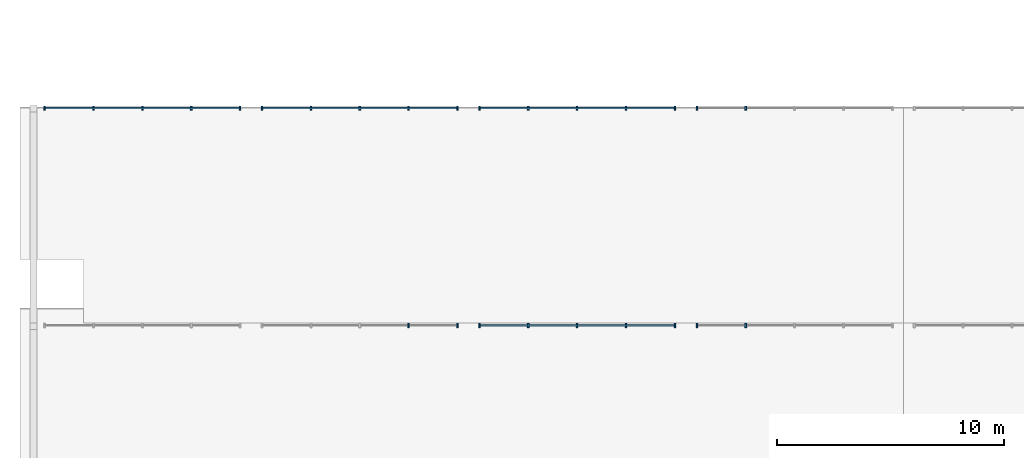
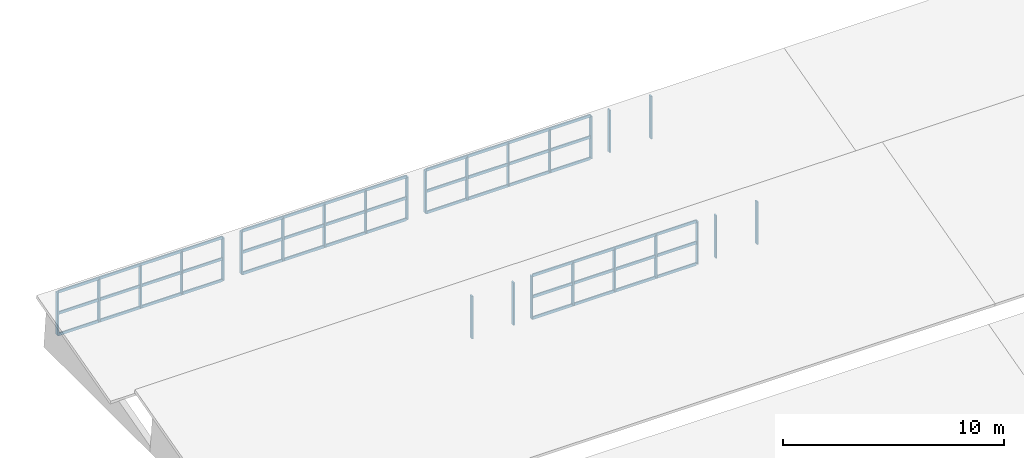
# One storey, part 5 of 18: 38 members, 7 elements without a shape of their own.
"""IFC4 building model written with IfcOpenShell, lengths in metres."""

from ifc_helpers import new_model, si_unit, direction, frame, origin, origin_2d, place, context, subcontext, project, spatial, rectangle, extrude, material, layer, layer_set, material_profile, profile_set, type_object, element, aggregate, save


model = new_model("IFC4")

# Units and contexts
model_context = context("Model", 3, precision=1e-05, world=origin(), true_north=direction((0.0, 1.0)))
body_context = subcontext(model_context, "Body", "Model", "MODEL_VIEW")
ifc_project = project(units=[si_unit("LENGTHUNIT", "METRE"), si_unit("AREAUNIT", "SQUARE_METRE"), si_unit("VOLUMEUNIT", "CUBIC_METRE"), si_unit("PLANEANGLEUNIT", "RADIAN"), si_unit("MASSUNIT", "GRAM", prefix="KILO")], contexts=[model_context])

# Site, building, storey
site_placement = place(None, origin())
site = spatial("IfcSite", under=ifc_project, at=site_placement, CompositionType="ELEMENT")
building_placement = place(site_placement, origin())
building = spatial("IfcBuilding", under=site, at=building_placement, Name="Bempovik Park Faculty of Sciences", CompositionType="ELEMENT")
storey_placement = place(building_placement, frame((0.0, 0.0, 50.10009765625)))
storey = spatial("IfcBuildingStorey", under=building, at=storey_placement, Name="Roof", CompositionType="ELEMENT", Elevation=50.10009765625)

# Curtain wall, members
ifc_material_1 = material(Name="Tempered laminated low-E glass", Category="glass")
ifc_layer_1 = layer(ifc_material_1, 0.159912109375)
ifc_layer_set_1 = layer_set([ifc_layer_1], Name="Tempered laminated low-E glass")
curtain_wall_type_1 = type_object("IfcCurtainWallType", Name="CW-15 Curtain 8000x2550", PredefinedType="USERDEFINED", material=ifc_layer_set_1)
curtain_wall_1_placement = place(storey_placement, origin())
curtain_wall_1 = element("IfcCurtainWall", 1, at=curtain_wall_1_placement, inside=storey, type_object=curtain_wall_type_1, Name="V2 Atrium Sawtooth North-Light Clerestory Bay 1 (60.0-69.6)", ObjectType="NORTH LIGHT CLERESTORY", PredefinedType="USERDEFINED")
ifc_material_2 = material(Name="Anodised aluminium", Category="aluminium")
ifc_material_profile_1 = material_profile(ifc_material_2, rectangle(XDim=0.070068359375, YDim=0.179931640625, at=origin_2d()), Name="ALU-M 70x180")
ifc_profile_set_1 = profile_set([ifc_material_profile_1], Name="Anodised aluminium")
member_type_1 = type_object("IfcMemberType", Name="ML-26 ALU-M 70x180", PredefinedType="MULLION", material=ifc_profile_set_1)
member_1_placement = place(storey_placement, frame((66.9599609375, 77.280029296875, -25.97021484375), z_axis=(0.0, 0.0, 1.0), x_axis=(1.0, 0.0, 0.0)))
member_1 = element("IfcMember", 2, at=member_1_placement, type_object=member_type_1, Name="CW-NL-V2-B1-600 Mullion 3", PredefinedType="MULLION", context=body_context, shape_type="SweptSolid", body=[
    extrude(rectangle(XDim=0.070068359375, YDim=0.179931640625, at=origin_2d()), origin(), (0.0, 0.0, 1.0), 2.3525390625),
])
member_2_placement = place(storey_placement, frame((69.1201171875, 77.280029296875, -25.97021484375), z_axis=(0.0, 0.0, 1.0), x_axis=(1.0, 0.0, 0.0)))
member_2 = element("IfcMember", 3, at=member_2_placement, type_object=member_type_1, Name="CW-NL-V2-B1-600 Mullion 4", PredefinedType="MULLION", context=body_context, shape_type="SweptSolid", body=[
    extrude(rectangle(XDim=0.070068359375, YDim=0.179931640625, at=origin_2d()), origin(), (0.0, 0.0, 1.0), 2.3525390625),
])
aggregate(curtain_wall_1, [member_1, member_2])

curtain_wall_2_placement = place(storey_placement, origin())
curtain_wall_2 = element("IfcCurtainWall", 4, at=curtain_wall_2_placement, inside=storey, type_object=curtain_wall_type_1, Name="V2 Atrium Sawtooth North-Light Clerestory Bay 1 (69.6-79.2)", ObjectType="NORTH LIGHT CLERESTORY", PredefinedType="USERDEFINED")
member_3_placement = place(storey_placement, frame((70.080078125, 77.280029296875, -25.97021484375), z_axis=(0.0, 0.0, 1.0), x_axis=(1.0, 0.0, 0.0)))
member_3 = element("IfcMember", 5, at=member_3_placement, type_object=member_type_1, Name="CW-NL-V2-B1-696 Mullion 0", PredefinedType="MULLION", context=body_context, shape_type="SweptSolid", body=[
    extrude(rectangle(XDim=0.070068359375, YDim=0.179931640625, at=origin_2d()), origin(), (0.0, 0.0, 1.0), 2.3525390625),
])
member_4_placement = place(storey_placement, frame((72.239990234375, 77.280029296875, -25.97021484375), z_axis=(0.0, 0.0, 1.0), x_axis=(1.0, 0.0, 0.0)))
member_4 = element("IfcMember", 6, at=member_4_placement, type_object=member_type_1, Name="CW-NL-V2-B1-696 Mullion 1", PredefinedType="MULLION", context=body_context, shape_type="SweptSolid", body=[
    extrude(rectangle(XDim=0.070068359375, YDim=0.179931640625, at=origin_2d()), origin(), (0.0, 0.0, 1.0), 2.3525390625),
])
member_5_placement = place(storey_placement, frame((74.39990234375, 77.280029296875, -25.97021484375), z_axis=(0.0, 0.0, 1.0), x_axis=(1.0, 0.0, 0.0)))
member_5 = element("IfcMember", 7, at=member_5_placement, type_object=member_type_1, Name="CW-NL-V2-B1-696 Mullion 2", PredefinedType="MULLION", context=body_context, shape_type="SweptSolid", body=[
    extrude(rectangle(XDim=0.070068359375, YDim=0.179931640625, at=origin_2d()), origin(), (0.0, 0.0, 1.0), 2.3525390625),
])
member_6_placement = place(storey_placement, frame((76.56005859375, 77.280029296875, -25.97021484375), z_axis=(0.0, 0.0, 1.0), x_axis=(1.0, 0.0, 0.0)))
member_6 = element("IfcMember", 8, at=member_6_placement, type_object=member_type_1, Name="CW-NL-V2-B1-696 Mullion 3", PredefinedType="MULLION", context=body_context, shape_type="SweptSolid", body=[
    extrude(rectangle(XDim=0.070068359375, YDim=0.179931640625, at=origin_2d()), origin(), (0.0, 0.0, 1.0), 2.3525390625),
])
member_7_placement = place(storey_placement, frame((78.719970703125, 77.280029296875, -25.97021484375), z_axis=(0.0, 0.0, 1.0), x_axis=(1.0, 0.0, 0.0)))
member_7 = element("IfcMember", 9, at=member_7_placement, type_object=member_type_1, Name="CW-NL-V2-B1-696 Mullion 4", PredefinedType="MULLION", context=body_context, shape_type="SweptSolid", body=[
    extrude(rectangle(XDim=0.070068359375, YDim=0.179931640625, at=origin_2d()), origin(), (0.0, 0.0, 1.0), 2.3525390625),
])

curtain_wall_3_placement = place(storey_placement, origin())
curtain_wall_3 = element("IfcCurtainWall", 10, at=curtain_wall_3_placement, inside=storey, type_object=curtain_wall_type_1, Name="V2 Atrium Sawtooth North-Light Clerestory Bay 1 (79.2-88.8)", ObjectType="NORTH LIGHT CLERESTORY", PredefinedType="USERDEFINED")
member_8_placement = place(storey_placement, frame((79.679931640625, 77.280029296875, -25.97021484375), z_axis=(0.0, 0.0, 1.0), x_axis=(1.0, 0.0, 0.0)))
member_8 = element("IfcMember", 11, at=member_8_placement, type_object=member_type_1, Name="CW-NL-V2-B1-792 Mullion 0", PredefinedType="MULLION", context=body_context, shape_type="SweptSolid", body=[
    extrude(rectangle(XDim=0.070068359375, YDim=0.179931640625, at=origin_2d()), origin(), (0.0, 0.0, 1.0), 2.3525390625),
])
member_9_placement = place(storey_placement, frame((81.840087890625, 77.280029296875, -25.97021484375), z_axis=(0.0, 0.0, 1.0), x_axis=(1.0, 0.0, 0.0)))
member_9 = element("IfcMember", 12, at=member_9_placement, type_object=member_type_1, Name="CW-NL-V2-B1-792 Mullion 1", PredefinedType="MULLION", context=body_context, shape_type="SweptSolid", body=[
    extrude(rectangle(XDim=0.070068359375, YDim=0.179931640625, at=origin_2d()), origin(), (0.0, 0.0, 1.0), 2.3525390625),
])
aggregate(curtain_wall_3, [member_8, member_9])

ifc_layer_2 = layer(ifc_material_1, 0.159912109375)
ifc_layer_set_2 = layer_set([ifc_layer_2], Name="Tempered laminated low-E glass")
curtain_wall_type_2 = type_object("IfcCurtainWallType", Name="CW-29 Curtain 6400x2550", PredefinedType="USERDEFINED", material=ifc_layer_set_2)
curtain_wall_4_placement = place(storey_placement, origin())
curtain_wall_4 = element("IfcCurtainWall", 13, at=curtain_wall_4_placement, inside=storey, type_object=curtain_wall_type_2, Name="V2 Atrium Sawtooth North-Light Clerestory Bay 2 (50.4-60.0)", ObjectType="NORTH LIGHT CLERESTORY", PredefinedType="USERDEFINED")
member_10_placement = place(storey_placement, frame((50.8798828125, 86.8798828125, -25.97021484375), z_axis=(0.0, 0.0, 1.0), x_axis=(1.0, 0.0, 0.0)))
member_10 = element("IfcMember", 14, at=member_10_placement, type_object=member_type_1, Name="CW-NL-V2-B2-504 Mullion 0", PredefinedType="MULLION", context=body_context, shape_type="SweptSolid", body=[
    extrude(rectangle(XDim=0.070068359375, YDim=0.179931640625, at=origin_2d()), origin(), (0.0, 0.0, 1.0), 2.3525390625),
])
member_11_placement = place(storey_placement, frame((53.0400390625, 86.8798828125, -25.97021484375), z_axis=(0.0, 0.0, 1.0), x_axis=(1.0, 0.0, 0.0)))
member_11 = element("IfcMember", 15, at=member_11_placement, type_object=member_type_1, Name="CW-NL-V2-B2-504 Mullion 1", PredefinedType="MULLION", context=body_context, shape_type="SweptSolid", body=[
    extrude(rectangle(XDim=0.070068359375, YDim=0.179931640625, at=origin_2d()), origin(), (0.0, 0.0, 1.0), 2.3525390625),
])
member_12_placement = place(storey_placement, frame((55.199951171875, 86.8798828125, -25.97021484375), z_axis=(0.0, 0.0, 1.0), x_axis=(1.0, 0.0, 0.0)))
member_12 = element("IfcMember", 16, at=member_12_placement, type_object=member_type_1, Name="CW-NL-V2-B2-504 Mullion 2", PredefinedType="MULLION", context=body_context, shape_type="SweptSolid", body=[
    extrude(rectangle(XDim=0.070068359375, YDim=0.179931640625, at=origin_2d()), origin(), (0.0, 0.0, 1.0), 2.3525390625),
])
member_13_placement = place(storey_placement, frame((57.360107421875, 86.8798828125, -25.97021484375), z_axis=(0.0, 0.0, 1.0), x_axis=(1.0, 0.0, 0.0)))
member_13 = element("IfcMember", 17, at=member_13_placement, type_object=member_type_1, Name="CW-NL-V2-B2-504 Mullion 3", PredefinedType="MULLION", context=body_context, shape_type="SweptSolid", body=[
    extrude(rectangle(XDim=0.070068359375, YDim=0.179931640625, at=origin_2d()), origin(), (0.0, 0.0, 1.0), 2.3525390625),
])
member_14_placement = place(storey_placement, frame((59.52001953125, 86.8798828125, -25.97021484375), z_axis=(0.0, 0.0, 1.0), x_axis=(1.0, 0.0, 0.0)))
member_14 = element("IfcMember", 18, at=member_14_placement, type_object=member_type_1, Name="CW-NL-V2-B2-504 Mullion 4", PredefinedType="MULLION", context=body_context, shape_type="SweptSolid", body=[
    extrude(rectangle(XDim=0.070068359375, YDim=0.179931640625, at=origin_2d()), origin(), (0.0, 0.0, 1.0), 2.3525390625),
])

curtain_wall_5_placement = place(storey_placement, origin())
curtain_wall_5 = element("IfcCurtainWall", 19, at=curtain_wall_5_placement, inside=storey, type_object=curtain_wall_type_1, Name="V2 Atrium Sawtooth North-Light Clerestory Bay 2 (60.0-69.6)", ObjectType="NORTH LIGHT CLERESTORY", PredefinedType="USERDEFINED")
member_15_placement = place(storey_placement, frame((60.47998046875, 86.8798828125, -25.97021484375), z_axis=(0.0, 0.0, 1.0), x_axis=(1.0, 0.0, 0.0)))
member_15 = element("IfcMember", 20, at=member_15_placement, type_object=member_type_1, Name="CW-NL-V2-B2-600 Mullion 0", PredefinedType="MULLION", context=body_context, shape_type="SweptSolid", body=[
    extrude(rectangle(XDim=0.070068359375, YDim=0.179931640625, at=origin_2d()), origin(), (0.0, 0.0, 1.0), 2.3525390625),
])
member_16_placement = place(storey_placement, frame((62.639892578125, 86.8798828125, -25.97021484375), z_axis=(0.0, 0.0, 1.0), x_axis=(1.0, 0.0, 0.0)))
member_16 = element("IfcMember", 21, at=member_16_placement, type_object=member_type_1, Name="CW-NL-V2-B2-600 Mullion 1", PredefinedType="MULLION", context=body_context, shape_type="SweptSolid", body=[
    extrude(rectangle(XDim=0.070068359375, YDim=0.179931640625, at=origin_2d()), origin(), (0.0, 0.0, 1.0), 2.3525390625),
])
member_17_placement = place(storey_placement, frame((64.800048828125, 86.8798828125, -25.97021484375), z_axis=(0.0, 0.0, 1.0), x_axis=(1.0, 0.0, 0.0)))
member_17 = element("IfcMember", 22, at=member_17_placement, type_object=member_type_1, Name="CW-NL-V2-B2-600 Mullion 2", PredefinedType="MULLION", context=body_context, shape_type="SweptSolid", body=[
    extrude(rectangle(XDim=0.070068359375, YDim=0.179931640625, at=origin_2d()), origin(), (0.0, 0.0, 1.0), 2.3525390625),
])
member_18_placement = place(storey_placement, frame((66.9599609375, 86.8798828125, -25.97021484375), z_axis=(0.0, 0.0, 1.0), x_axis=(1.0, 0.0, 0.0)))
member_18 = element("IfcMember", 23, at=member_18_placement, type_object=member_type_1, Name="CW-NL-V2-B2-600 Mullion 3", PredefinedType="MULLION", context=body_context, shape_type="SweptSolid", body=[
    extrude(rectangle(XDim=0.070068359375, YDim=0.179931640625, at=origin_2d()), origin(), (0.0, 0.0, 1.0), 2.3525390625),
])
member_19_placement = place(storey_placement, frame((69.1201171875, 86.8798828125, -25.97021484375), z_axis=(0.0, 0.0, 1.0), x_axis=(1.0, 0.0, 0.0)))
member_19 = element("IfcMember", 24, at=member_19_placement, type_object=member_type_1, Name="CW-NL-V2-B2-600 Mullion 4", PredefinedType="MULLION", context=body_context, shape_type="SweptSolid", body=[
    extrude(rectangle(XDim=0.070068359375, YDim=0.179931640625, at=origin_2d()), origin(), (0.0, 0.0, 1.0), 2.3525390625),
])

curtain_wall_6_placement = place(storey_placement, origin())
curtain_wall_6 = element("IfcCurtainWall", 25, at=curtain_wall_6_placement, inside=storey, type_object=curtain_wall_type_1, Name="V2 Atrium Sawtooth North-Light Clerestory Bay 2 (69.6-79.2)", ObjectType="NORTH LIGHT CLERESTORY", PredefinedType="USERDEFINED")
member_20_placement = place(storey_placement, frame((70.080078125, 86.8798828125, -25.97021484375), z_axis=(0.0, 0.0, 1.0), x_axis=(1.0, 0.0, 0.0)))
member_20 = element("IfcMember", 26, at=member_20_placement, type_object=member_type_1, Name="CW-NL-V2-B2-696 Mullion 0", PredefinedType="MULLION", context=body_context, shape_type="SweptSolid", body=[
    extrude(rectangle(XDim=0.070068359375, YDim=0.179931640625, at=origin_2d()), origin(), (0.0, 0.0, 1.0), 2.3525390625),
])
member_21_placement = place(storey_placement, frame((72.239990234375, 86.8798828125, -25.97021484375), z_axis=(0.0, 0.0, 1.0), x_axis=(1.0, 0.0, 0.0)))
member_21 = element("IfcMember", 27, at=member_21_placement, type_object=member_type_1, Name="CW-NL-V2-B2-696 Mullion 1", PredefinedType="MULLION", context=body_context, shape_type="SweptSolid", body=[
    extrude(rectangle(XDim=0.070068359375, YDim=0.179931640625, at=origin_2d()), origin(), (0.0, 0.0, 1.0), 2.3525390625),
])
member_22_placement = place(storey_placement, frame((74.39990234375, 86.8798828125, -25.97021484375), z_axis=(0.0, 0.0, 1.0), x_axis=(1.0, 0.0, 0.0)))
member_22 = element("IfcMember", 28, at=member_22_placement, type_object=member_type_1, Name="CW-NL-V2-B2-696 Mullion 2", PredefinedType="MULLION", context=body_context, shape_type="SweptSolid", body=[
    extrude(rectangle(XDim=0.070068359375, YDim=0.179931640625, at=origin_2d()), origin(), (0.0, 0.0, 1.0), 2.3525390625),
])
member_23_placement = place(storey_placement, frame((76.56005859375, 86.8798828125, -25.97021484375), z_axis=(0.0, 0.0, 1.0), x_axis=(1.0, 0.0, 0.0)))
member_23 = element("IfcMember", 29, at=member_23_placement, type_object=member_type_1, Name="CW-NL-V2-B2-696 Mullion 3", PredefinedType="MULLION", context=body_context, shape_type="SweptSolid", body=[
    extrude(rectangle(XDim=0.070068359375, YDim=0.179931640625, at=origin_2d()), origin(), (0.0, 0.0, 1.0), 2.3525390625),
])
member_24_placement = place(storey_placement, frame((78.719970703125, 86.8798828125, -25.97021484375), z_axis=(0.0, 0.0, 1.0), x_axis=(1.0, 0.0, 0.0)))
member_24 = element("IfcMember", 30, at=member_24_placement, type_object=member_type_1, Name="CW-NL-V2-B2-696 Mullion 4", PredefinedType="MULLION", context=body_context, shape_type="SweptSolid", body=[
    extrude(rectangle(XDim=0.070068359375, YDim=0.179931640625, at=origin_2d()), origin(), (0.0, 0.0, 1.0), 2.3525390625),
])

curtain_wall_7_placement = place(storey_placement, origin())
curtain_wall_7 = element("IfcCurtainWall", 31, at=curtain_wall_7_placement, inside=storey, type_object=curtain_wall_type_1, Name="V2 Atrium Sawtooth North-Light Clerestory Bay 2 (79.2-88.8)", ObjectType="NORTH LIGHT CLERESTORY", PredefinedType="USERDEFINED")
member_25_placement = place(storey_placement, frame((79.679931640625, 86.8798828125, -25.97021484375), z_axis=(0.0, 0.0, 1.0), x_axis=(1.0, 0.0, 0.0)))
member_25 = element("IfcMember", 32, at=member_25_placement, type_object=member_type_1, Name="CW-NL-V2-B2-792 Mullion 0", PredefinedType="MULLION", context=body_context, shape_type="SweptSolid", body=[
    extrude(rectangle(XDim=0.070068359375, YDim=0.179931640625, at=origin_2d()), origin(), (0.0, 0.0, 1.0), 2.3525390625),
])
member_26_placement = place(storey_placement, frame((81.840087890625, 86.8798828125, -25.97021484375), z_axis=(0.0, 0.0, 1.0), x_axis=(1.0, 0.0, 0.0)))
member_26 = element("IfcMember", 33, at=member_26_placement, type_object=member_type_1, Name="CW-NL-V2-B2-792 Mullion 1", PredefinedType="MULLION", context=body_context, shape_type="SweptSolid", body=[
    extrude(rectangle(XDim=0.070068359375, YDim=0.179931640625, at=origin_2d()), origin(), (0.0, 0.0, 1.0), 2.3525390625),
])
aggregate(curtain_wall_7, [member_25, member_26])

# Member
ifc_material_profile_2 = material_profile(ifc_material_2, rectangle(XDim=0.070068359375, YDim=0.14990234375, at=origin_2d()), Name="ALU-T 70x150")
ifc_profile_set_2 = profile_set([ifc_material_profile_2], Name="Anodised aluminium")
member_type_2 = type_object("IfcMemberType", Name="TR-21 ALU-T 70x150", PredefinedType="USERDEFINED", material=ifc_profile_set_2)
member_27_placement = place(storey_placement, frame((70.1201171875, 77.280029296875, -25.97021484375), z_axis=(1.0, 0.0, 0.0), x_axis=(0.0, 1.0, 0.0)))
member_27 = element("IfcMember", 34, at=member_27_placement, type_object=member_type_2, Name="CW-NL-V2-B1-696 Transom 0", ObjectType="TRANSOM", PredefinedType="USERDEFINED", context=body_context, shape_type="SweptSolid", body=[
    extrude(rectangle(XDim=0.070068359375, YDim=0.14990234375, at=origin_2d()), origin(), (0.0, 0.0, 1.0), 8.559814453125),
])

member_28_placement = place(storey_placement, frame((70.1201171875, 77.280029296875, -24.7939453125), z_axis=(1.0, 0.0, 0.0), x_axis=(0.0, 1.0, 0.0)))
member_28 = element("IfcMember", 35, at=member_28_placement, type_object=member_type_2, Name="CW-NL-V2-B1-696 Transom 1", ObjectType="TRANSOM", PredefinedType="USERDEFINED", context=body_context, shape_type="SweptSolid", body=[
    extrude(rectangle(XDim=0.070068359375, YDim=0.14990234375, at=origin_2d()), origin(), (0.0, 0.0, 1.0), 8.559814453125),
])

member_29_placement = place(storey_placement, frame((70.1201171875, 77.280029296875, -23.61767578125), z_axis=(1.0, 0.0, 0.0), x_axis=(0.0, 1.0, 0.0)))
member_29 = element("IfcMember", 36, at=member_29_placement, type_object=member_type_2, Name="CW-NL-V2-B1-696 Transom 2", ObjectType="TRANSOM", PredefinedType="USERDEFINED", context=body_context, shape_type="SweptSolid", body=[
    extrude(rectangle(XDim=0.070068359375, YDim=0.14990234375, at=origin_2d()), origin(), (0.0, 0.0, 1.0), 8.559814453125),
])

aggregate(curtain_wall_2, [member_3, member_4, member_5, member_6, member_7, member_27, member_28, member_29])

member_30_placement = place(storey_placement, frame((50.919921875, 86.8798828125, -25.97021484375), z_axis=(1.0, 0.0, 0.0), x_axis=(0.0, 1.0, 0.0)))
member_30 = element("IfcMember", 37, at=member_30_placement, type_object=member_type_2, Name="CW-NL-V2-B2-504 Transom 0", ObjectType="TRANSOM", PredefinedType="USERDEFINED", context=body_context, shape_type="SweptSolid", body=[
    extrude(rectangle(XDim=0.070068359375, YDim=0.14990234375, at=origin_2d()), origin(), (0.0, 0.0, 1.0), 8.56005859375),
])

member_31_placement = place(storey_placement, frame((50.919921875, 86.8798828125, -24.7939453125), z_axis=(1.0, 0.0, 0.0), x_axis=(0.0, 1.0, 0.0)))
member_31 = element("IfcMember", 38, at=member_31_placement, type_object=member_type_2, Name="CW-NL-V2-B2-504 Transom 1", ObjectType="TRANSOM", PredefinedType="USERDEFINED", context=body_context, shape_type="SweptSolid", body=[
    extrude(rectangle(XDim=0.070068359375, YDim=0.14990234375, at=origin_2d()), origin(), (0.0, 0.0, 1.0), 8.56005859375),
])

member_32_placement = place(storey_placement, frame((50.919921875, 86.8798828125, -23.61767578125), z_axis=(1.0, 0.0, 0.0), x_axis=(0.0, 1.0, 0.0)))
member_32 = element("IfcMember", 39, at=member_32_placement, type_object=member_type_2, Name="CW-NL-V2-B2-504 Transom 2", ObjectType="TRANSOM", PredefinedType="USERDEFINED", context=body_context, shape_type="SweptSolid", body=[
    extrude(rectangle(XDim=0.070068359375, YDim=0.14990234375, at=origin_2d()), origin(), (0.0, 0.0, 1.0), 8.56005859375),
])

aggregate(curtain_wall_4, [member_10, member_11, member_12, member_13, member_14, member_30, member_31, member_32])

member_33_placement = place(storey_placement, frame((60.52001953125, 86.8798828125, -25.97021484375), z_axis=(1.0, 0.0, 0.0), x_axis=(0.0, 1.0, 0.0)))
member_33 = element("IfcMember", 40, at=member_33_placement, type_object=member_type_2, Name="CW-NL-V2-B2-600 Transom 0", ObjectType="TRANSOM", PredefinedType="USERDEFINED", context=body_context, shape_type="SweptSolid", body=[
    extrude(rectangle(XDim=0.070068359375, YDim=0.14990234375, at=origin_2d()), origin(), (0.0, 0.0, 1.0), 8.56005859375),
])

member_34_placement = place(storey_placement, frame((60.52001953125, 86.8798828125, -24.7939453125), z_axis=(1.0, 0.0, 0.0), x_axis=(0.0, 1.0, 0.0)))
member_34 = element("IfcMember", 41, at=member_34_placement, type_object=member_type_2, Name="CW-NL-V2-B2-600 Transom 1", ObjectType="TRANSOM", PredefinedType="USERDEFINED", context=body_context, shape_type="SweptSolid", body=[
    extrude(rectangle(XDim=0.070068359375, YDim=0.14990234375, at=origin_2d()), origin(), (0.0, 0.0, 1.0), 8.56005859375),
])

member_35_placement = place(storey_placement, frame((60.52001953125, 86.8798828125, -23.61767578125), z_axis=(1.0, 0.0, 0.0), x_axis=(0.0, 1.0, 0.0)))
member_35 = element("IfcMember", 42, at=member_35_placement, type_object=member_type_2, Name="CW-NL-V2-B2-600 Transom 2", ObjectType="TRANSOM", PredefinedType="USERDEFINED", context=body_context, shape_type="SweptSolid", body=[
    extrude(rectangle(XDim=0.070068359375, YDim=0.14990234375, at=origin_2d()), origin(), (0.0, 0.0, 1.0), 8.56005859375),
])

aggregate(curtain_wall_5, [member_15, member_16, member_17, member_18, member_19, member_33, member_34, member_35])

member_36_placement = place(storey_placement, frame((70.1201171875, 86.8798828125, -25.97021484375), z_axis=(1.0, 0.0, 0.0), x_axis=(0.0, 1.0, 0.0)))
member_36 = element("IfcMember", 43, at=member_36_placement, type_object=member_type_2, Name="CW-NL-V2-B2-696 Transom 0", ObjectType="TRANSOM", PredefinedType="USERDEFINED", context=body_context, shape_type="SweptSolid", body=[
    extrude(rectangle(XDim=0.070068359375, YDim=0.14990234375, at=origin_2d()), origin(), (0.0, 0.0, 1.0), 8.559814453125),
])

member_37_placement = place(storey_placement, frame((70.1201171875, 86.8798828125, -24.7939453125), z_axis=(1.0, 0.0, 0.0), x_axis=(0.0, 1.0, 0.0)))
member_37 = element("IfcMember", 44, at=member_37_placement, type_object=member_type_2, Name="CW-NL-V2-B2-696 Transom 1", ObjectType="TRANSOM", PredefinedType="USERDEFINED", context=body_context, shape_type="SweptSolid", body=[
    extrude(rectangle(XDim=0.070068359375, YDim=0.14990234375, at=origin_2d()), origin(), (0.0, 0.0, 1.0), 8.559814453125),
])

member_38_placement = place(storey_placement, frame((70.1201171875, 86.8798828125, -23.61767578125), z_axis=(1.0, 0.0, 0.0), x_axis=(0.0, 1.0, 0.0)))
member_38 = element("IfcMember", 45, at=member_38_placement, type_object=member_type_2, Name="CW-NL-V2-B2-696 Transom 2", ObjectType="TRANSOM", PredefinedType="USERDEFINED", context=body_context, shape_type="SweptSolid", body=[
    extrude(rectangle(XDim=0.070068359375, YDim=0.14990234375, at=origin_2d()), origin(), (0.0, 0.0, 1.0), 8.559814453125),
])

aggregate(curtain_wall_6, [member_20, member_21, member_22, member_23, member_24, member_36, member_37, member_38])

save(model, "model.ifc")
